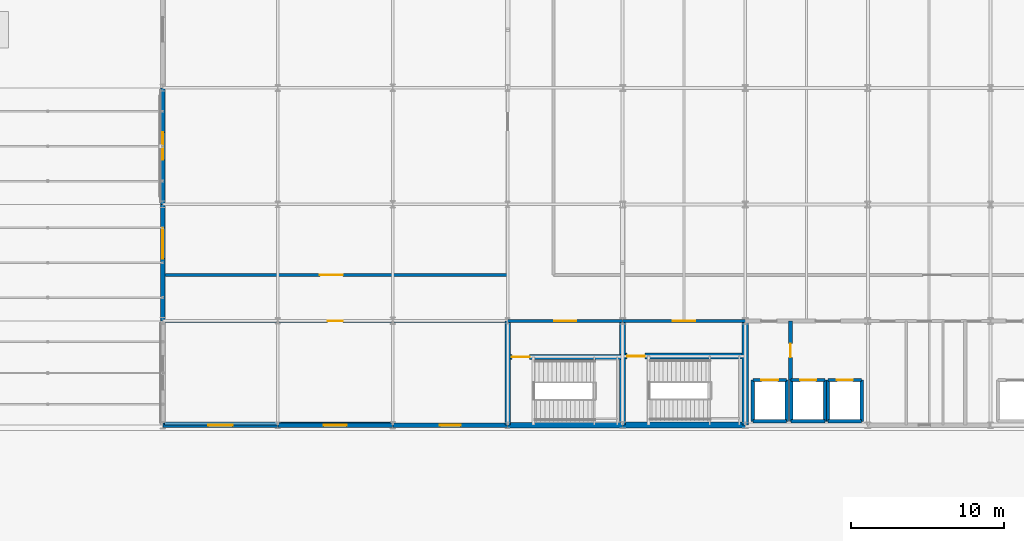
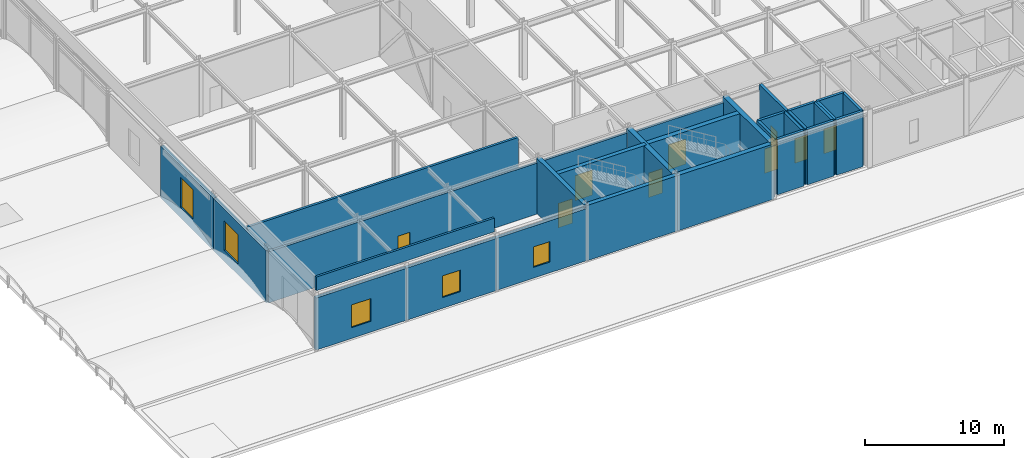
# One storey, part 93 of 113: 30 walls, 10 doors, 5 windows, 15 openings.
"""IFC4 building model written with IfcOpenShell, lengths in metres."""

from ifc_helpers import new_model, si_unit, direction, frame, frame_2d, origin, place, context, subcontext, project, spatial, rectangle, extrude, material, layer, layer_set, type_object, element, fill, save


model = new_model("IFC4")

# Units and contexts
model_context = context("Model", 3, precision=1e-05, world=origin(), true_north=direction((0.0, 1.0)))
body_context = subcontext(model_context, "Body", "Model", "MODEL_VIEW")
ifc_project = project(units=[si_unit("LENGTHUNIT", "METRE"), si_unit("AREAUNIT", "SQUARE_METRE"), si_unit("VOLUMEUNIT", "CUBIC_METRE"), si_unit("PLANEANGLEUNIT", "RADIAN"), si_unit("MASSUNIT", "GRAM", prefix="KILO")], contexts=[model_context])

# Site, building, storey
site_placement = place(None, origin())
site = spatial("IfcSite", under=ifc_project, at=site_placement, CompositionType="ELEMENT")
building_placement = place(site_placement, origin())
building = spatial("IfcBuilding", under=site, at=building_placement, Name="Shalkamar Park Central Library", CompositionType="ELEMENT")
storey_placement = place(building_placement, frame((0.0, 0.0, 5.39990234375)))
storey = spatial("IfcBuildingStorey", under=building, at=storey_placement, Name="L02", CompositionType="ELEMENT", Elevation=5.39990234375)

# Wall, opening, door
ifc_material_1 = material(Name="Reinforced fire-compartment masonry wall", Category="masonry")
ifc_layer_1 = layer(ifc_material_1, 0.239990234375)
ifc_layer_set_1 = layer_set([ifc_layer_1], Name="CompartmentWall_240")
wall_type_1 = type_object("IfcWallType", Name="Compartment Wall 240", PredefinedType="PARTITIONING", material=ifc_layer_set_1)
wall_1_placement = place(storey_placement, frame((175.949951171875, 251.35009765625, 0.0), z_axis=(0.0, 0.0, 1.0), x_axis=(0.0, 1.0, 0.0)))
wall_1 = element("IfcWall", 1, at=wall_1_placement, inside=storey, type_object=wall_type_1, Name="Interior Partition WL-INT-L02-001", PredefinedType="PARTITIONING", context=body_context, shape_type="SweptSolid", body=[
    extrude(rectangle(XDim=3.849853515625, YDim=0.239990234375, at=frame_2d((1.9248046875, 0.0))), origin(), (0.0, 0.0, 1.0), 4.860107421875),
])
opening_1_placement = place(wall_1_placement, frame((1.47509765625, 0.0, 0.0)))
opening_1 = element("IfcOpeningElement", 2, at=opening_1_placement, cuts=wall_1, Name="Opening DR-L02-001", PredefinedType="OPENING", context=body_context, shape_type="SweptSolid", body=[
    extrude(rectangle(XDim=0.89990234375, YDim=2.10009765625, at=frame_2d((0.449951171875, 1.050048828125))), frame((0.0, 0.134765625, 0.0), z_axis=(0.0, -1.0, 0.0), x_axis=(1.0, 0.0, 0.0)), (0.0, 0.0, 1.0), 0.269775390625),
])
ifc_material_2 = material(Name="Steel S355", Category="steel")
door_type_1 = type_object("IfcDoorType", Name="Fire Door Single 900x2100", OperationType="NOTDEFINED", PredefinedType="DOOR", material=ifc_material_2)
door_1_placement = place(opening_1_placement, frame((0.89990234375, 0.0, 0.0), z_axis=(0.0, 0.0, 1.0), x_axis=(-1.0, 0.0, 0.0)))
door_1 = element("IfcDoor", 3, at=door_1_placement, inside=storey, type_object=door_type_1, Name="Fire Lobby Interconnect Door", OperationType="SINGLE_SWING_LEFT", OverallHeight=2.10009765625, OverallWidth=0.89990234375, PredefinedType="DOOR", context=body_context, shape_type="SweptSolid", body=[
    extrude(rectangle(XDim=0.89990234375, YDim=2.10009765625, at=frame_2d((0.449951171875, 1.050048828125))), frame((0.0, 0.02490234375, 0.0), z_axis=(0.0, -1.0, 0.0), x_axis=(1.0, 0.0, 0.0)), (0.0, 0.0, 1.0), 0.050048828125),
])
fill(opening_1, door_1)

ifc_material_3 = material(Name="Fire-rated corridor partition wall", Category="masonry")
ifc_layer_2 = layer(ifc_material_3, 0.199951171875)
ifc_layer_set_2 = layer_set([ifc_layer_2], Name="CorridorFireWall_200")
wall_type_2 = type_object("IfcWallType", Name="Corridor Fire Wall 200", PredefinedType="PARTITIONING", material=ifc_layer_set_2)
wall_2_placement = place(storey_placement, frame((165.0, 255.199951171875, 0.0), z_axis=(0.0, 0.0, 1.0), x_axis=(1.0, 0.0, 0.0)))
wall_2 = element("IfcWall", 4, at=wall_2_placement, inside=storey, type_object=wall_type_2, Name="CORE-T1 Vestibule North Wall (L02)", PredefinedType="PARTITIONING", context=body_context, shape_type="SweptSolid", body=[
    extrude(rectangle(XDim=8.0, YDim=0.199951171875, at=frame_2d((4.0, 0.0))), origin(), (0.0, 0.0, 1.0), 4.358154296875),
])
opening_2_placement = place(wall_2_placement, frame((3.27490234375, 0.0, 0.0)))
opening_2 = element("IfcOpeningElement", 5, at=opening_2_placement, cuts=wall_2, Name="Opening DR-ST-T1-L02-VEST", PredefinedType="OPENING", context=body_context, shape_type="SweptSolid", body=[
    extrude(rectangle(XDim=1.449951171875, YDim=2.199951171875, at=frame_2d((0.72509765625, 1.10009765625))), frame((0.0, 0.11474609375, 0.0), z_axis=(0.0, -1.0, 0.0), x_axis=(1.0, 0.0, 0.0)), (0.0, 0.0, 1.0), 0.229736328125),
])
door_type_2 = type_object("IfcDoorType", Name="Stair Vestibule Door 1450x2200", OperationType="DOUBLE_DOOR_SINGLE_SWING", PredefinedType="DOOR", material=ifc_material_2)
door_2_placement = place(opening_2_placement, frame((1.449951171875, 0.0, 0.0), z_axis=(0.0, 0.0, 1.0), x_axis=(-1.0, 0.0, 0.0)))
door_2 = element("IfcDoor", 6, at=door_2_placement, inside=storey, type_object=door_type_2, Name="Protected Stair ST-T1 Vestibule Door (L02)", OperationType="DOUBLE_DOOR_SINGLE_SWING", OverallHeight=2.199951171875, OverallWidth=1.449951171875, PredefinedType="DOOR", context=body_context, shape_type="SweptSolid", body=[
    extrude(rectangle(XDim=1.449951171875, YDim=2.199951171875, at=frame_2d((0.72509765625, 1.10009765625))), frame((0.0, 0.02490234375, 0.0), z_axis=(0.0, -1.0, 0.0), x_axis=(1.0, 0.0, 0.0)), (0.0, 0.0, 1.0), 0.050048828125),
])
fill(opening_2, door_2)

wall_3_placement = place(storey_placement, frame((157.5, 255.199951171875, 0.0), z_axis=(0.0, 0.0, 1.0), x_axis=(1.0, 0.0, 0.0)))
wall_3 = element("IfcWall", 7, at=wall_3_placement, inside=storey, type_object=wall_type_2, Name="CORE-P1 Vestibule North Wall (L02)", PredefinedType="PARTITIONING", context=body_context, shape_type="SweptSolid", body=[
    extrude(rectangle(XDim=7.5, YDim=0.199951171875, at=frame_2d((3.75, 0.0))), origin(), (0.0, 0.0, 1.0), 4.498046875),
])
opening_3_placement = place(wall_3_placement, frame((3.02490234375, 0.0, 0.0)))
opening_3 = element("IfcOpeningElement", 8, at=opening_3_placement, cuts=wall_3, Name="Opening DR-ST-P1-L02-VEST", PredefinedType="OPENING", context=body_context, shape_type="SweptSolid", body=[
    extrude(rectangle(XDim=1.449951171875, YDim=2.199951171875, at=frame_2d((0.72509765625, 1.10009765625))), frame((0.0, 0.11474609375, 0.0), z_axis=(0.0, -1.0, 0.0), x_axis=(1.0, 0.0, 0.0)), (0.0, 0.0, 1.0), 0.229736328125),
])
door_3_placement = place(opening_3_placement, frame((1.449951171875, 0.0, 0.0), z_axis=(0.0, 0.0, 1.0), x_axis=(-1.0, 0.0, 0.0)))
door_3 = element("IfcDoor", 9, at=door_3_placement, inside=storey, type_object=door_type_2, Name="Protected Stair ST-P1 Vestibule Door (L02)", OperationType="DOUBLE_DOOR_SINGLE_SWING", OverallHeight=2.199951171875, OverallWidth=1.449951171875, PredefinedType="DOOR", context=body_context, shape_type="SweptSolid", body=[
    extrude(rectangle(XDim=1.449951171875, YDim=2.199951171875, at=frame_2d((0.72509765625, 1.10009765625))), frame((0.0, 0.02490234375, 0.0), z_axis=(0.0, -1.0, 0.0), x_axis=(1.0, 0.0, 0.0)), (0.0, 0.0, 1.0), 0.050048828125),
])
fill(opening_3, door_3)

wall_4_placement = place(storey_placement, frame((135.0, 255.199951171875, 0.0), z_axis=(0.0, 0.0, 1.0), x_axis=(1.0, 0.0, 0.0)))
wall_4 = element("IfcWall", 10, at=wall_4_placement, inside=storey, type_object=wall_type_2, Name="Interior Partition WL-INT-L02-013", PredefinedType="PARTITIONING", context=body_context, shape_type="SweptSolid", body=[
    extrude(rectangle(XDim=22.5, YDim=0.199951171875, at=frame_2d((11.25, 0.0))), origin(), (0.0, 0.0, 1.0), 4.488037109375),
])
opening_4_placement = place(wall_4_placement, frame((10.75, 0.0, 0.0)))
opening_4 = element("IfcOpeningElement", 11, at=opening_4_placement, cuts=wall_4, Name="Opening DR-L02-013", PredefinedType="OPENING", context=body_context, shape_type="SweptSolid", body=[
    extrude(rectangle(XDim=1.0, YDim=2.10009765625, at=frame_2d((0.5, 1.050048828125))), frame((0.0, 0.11474609375, 0.0), z_axis=(0.0, -1.0, 0.0), x_axis=(1.0, 0.0, 0.0)), (0.0, 0.0, 1.0), 0.229736328125),
])
door_type_3 = type_object("IfcDoorType", Name="Interior Door Single 1000x2100", OperationType="NOTDEFINED", PredefinedType="DOOR", material=ifc_material_2)
door_4_placement = place(opening_4_placement, frame((1.0, 0.0, 0.0), z_axis=(0.0, 0.0, 1.0), x_axis=(-1.0, 0.0, 0.0)))
door_4 = element("IfcDoor", 12, at=door_4_placement, inside=storey, type_object=door_type_3, Name="L02 South West Office Door", OperationType="SINGLE_SWING_RIGHT", OverallHeight=2.10009765625, OverallWidth=1.0, PredefinedType="DOOR", context=body_context, shape_type="SweptSolid", body=[
    extrude(rectangle(XDim=1.0, YDim=2.10009765625, at=frame_2d((0.5, 1.050048828125))), frame((0.0, 0.02490234375, 0.0), z_axis=(0.0, -1.0, 0.0), x_axis=(1.0, 0.0, 0.0)), (0.0, 0.0, 1.0), 0.050048828125),
])
fill(opening_4, door_4)

wall_5_placement = place(storey_placement, frame((135.0, 258.199951171875, 0.0), z_axis=(0.0, 0.0, 1.0), x_axis=(1.0, 0.0, 0.0)))
wall_5 = element("IfcWall", 13, at=wall_5_placement, inside=storey, type_object=wall_type_2, Name="Interior Partition WL-INT-L02-018", PredefinedType="PARTITIONING", context=body_context, shape_type="SweptSolid", body=[
    extrude(rectangle(XDim=22.5, YDim=0.199951171875, at=frame_2d((11.25, 0.0))), origin(), (0.0, 0.0, 1.0), 4.85009765625),
])
opening_5_placement = place(wall_5_placement, frame((10.25, 0.0, 0.0)))
opening_5 = element("IfcOpeningElement", 14, at=opening_5_placement, cuts=wall_5, Name="Opening DR-L02-018", PredefinedType="OPENING", context=body_context, shape_type="SweptSolid", body=[
    extrude(rectangle(XDim=1.5, YDim=2.25, at=frame_2d((0.75, 1.125))), frame((0.0, 0.11474609375, 0.0), z_axis=(0.0, -1.0, 0.0), x_axis=(1.0, 0.0, 0.0)), (0.0, 0.0, 1.0), 0.229736328125),
])
door_type_4 = type_object("IfcDoorType", Name="Interior Door Double 1500x2250", OperationType="DOUBLE_DOOR_SINGLE_SWING", PredefinedType="DOOR", material=ifc_material_2)
door_5_placement = place(opening_5_placement, origin())
door_5 = element("IfcDoor", 15, at=door_5_placement, inside=storey, type_object=door_type_4, Name="Cataloguing Wing South Door", OperationType="DOUBLE_DOOR_SINGLE_SWING", OverallHeight=2.25, OverallWidth=1.5, PredefinedType="DOOR", context=body_context, shape_type="SweptSolid", body=[
    extrude(rectangle(XDim=1.5, YDim=2.25, at=frame_2d((0.75, 1.125))), frame((0.0, 0.02490234375, 0.0), z_axis=(0.0, -1.0, 0.0), x_axis=(1.0, 0.0, 0.0)), (0.0, 0.0, 1.0), 0.050048828125),
])
fill(opening_5, door_5)

# Walls
ifc_material_4 = material(Name="Concrete C40/50", Category="concrete")
ifc_layer_3 = layer(ifc_material_4, 0.219970703125)
ifc_layer_set_3 = layer_set([ifc_layer_3], Name="Concrete C40/50")
wall_type_3 = type_object("IfcWallType", Name="Lift Hoistway Shear Wall 220", PredefinedType="SHEAR", material=ifc_layer_set_3)
wall_6_placement = place(storey_placement, frame((173.5, 248.64990234375, 0.0), z_axis=(0.0, 0.0, 1.0), x_axis=(1.0, 0.0, 0.0)))
element("IfcWall", 16, at=wall_6_placement, inside=storey, type_object=wall_type_3, Name="Lift FFL-01 Hoistway South Wall (L02)", PredefinedType="SHEAR", context=body_context, shape_type="SweptSolid", body=[
    extrude(rectangle(XDim=2.199951171875, YDim=0.219970703125, at=frame_2d((1.10009765625, 0.0))), origin(), (0.0, 0.0, 1.0), 4.860107421875),
])
for number, where, z_axis, x_axis, name in (
    (17, (173.5, 248.64990234375, 0.0), (0.0, 0.0, 1.0), (0.0, 1.0, 0.0), "Lift FFL-01 Hoistway West Wall (L02)"),
    (18, (175.699951171875, 248.64990234375, 0.0), (0.0, 0.0, 1.0), (0.0, 1.0, 0.0), "Lift FFL-01 Hoistway East Wall (L02)"),
):
    element("IfcWall", number, at=place(storey_placement, frame(where, z_axis=z_axis, x_axis=x_axis)), inside=storey, type_object=wall_type_3, Name=name, PredefinedType="SHEAR", context=body_context, shape_type="SweptSolid", body=[
        extrude(rectangle(XDim=2.7001953125, YDim=0.219970703125, at=frame_2d((1.35009765625, 0.0))), origin(), (0.0, 0.0, 1.0), 4.860107421875),
    ])

# Wall, opening, door
wall_7_placement = place(storey_placement, frame((173.5, 251.35009765625, 0.0), z_axis=(0.0, 0.0, 1.0), x_axis=(1.0, 0.0, 0.0)))
wall_7 = element("IfcWall", 19, at=wall_7_placement, inside=storey, type_object=wall_type_3, Name="Lift FFL-01 Hoistway Front Wall (L02)", PredefinedType="SHEAR", context=body_context, shape_type="SweptSolid", body=[
    extrude(rectangle(XDim=2.199951171875, YDim=0.219970703125, at=frame_2d((1.10009765625, 0.0))), origin(), (0.0, 0.0, 1.0), 4.860107421875),
])
opening_6_placement = place(wall_7_placement, frame((0.550048828125, 0.0, 0.0)))
opening_6 = element("IfcOpeningElement", 20, at=opening_6_placement, cuts=wall_7, Name="Opening LD-FFL-01-L02", PredefinedType="OPENING", context=body_context, shape_type="SweptSolid", body=[
    extrude(rectangle(XDim=1.10009765625, YDim=2.14990234375, at=frame_2d((0.550048828125, 1.074951171875))), frame((0.0, 0.125, 0.0), z_axis=(0.0, -1.0, 0.0), x_axis=(1.0, 0.0, 0.0)), (0.0, 0.0, 1.0), 0.249755859375),
])
door_type_5 = type_object("IfcDoorType", Name="Fire Lift Landing Door 1100x2150", OperationType="DOUBLE_DOOR_SLIDING", PredefinedType="USERDEFINED", material=ifc_material_2)
door_6_placement = place(opening_6_placement, origin())
door_6 = element("IfcDoor", 21, at=door_6_placement, inside=storey, type_object=door_type_5, Name="Lift FFL-01 Sliding Landing Door (L02)", ObjectType="SLIDING LANDING DOOR", OperationType="DOUBLE_DOOR_SLIDING", OverallHeight=2.14990234375, OverallWidth=1.10009765625, PredefinedType="USERDEFINED", context=body_context, shape_type="SweptSolid", body=[
    extrude(rectangle(XDim=1.10009765625, YDim=2.14990234375, at=frame_2d((0.550048828125, 1.074951171875))), frame((0.0, 0.02490234375, 0.0), z_axis=(0.0, -1.0, 0.0), x_axis=(1.0, 0.0, 0.0)), (0.0, 0.0, 1.0), 0.050048828125),
])
fill(opening_6, door_6)

# Walls
wall_8_placement = place(storey_placement, frame((176.0, 248.64990234375, 0.0), z_axis=(0.0, 0.0, 1.0), x_axis=(1.0, 0.0, 0.0)))
element("IfcWall", 22, at=wall_8_placement, inside=storey, type_object=wall_type_3, Name="Lift LT-01 Hoistway South Wall (L02)", PredefinedType="SHEAR", context=body_context, shape_type="SweptSolid", body=[
    extrude(rectangle(XDim=2.199951171875, YDim=0.219970703125, at=frame_2d((1.10009765625, 0.0))), origin(), (0.0, 0.0, 1.0), 4.860107421875),
])
for number, where, z_axis, x_axis, name in (
    (23, (176.0, 248.64990234375, 0.0), (0.0, 0.0, 1.0), (0.0, 1.0, 0.0), "Lift LT-01 Hoistway West Wall (L02)"),
    (24, (178.199951171875, 248.64990234375, 0.0), (0.0, 0.0, 1.0), (0.0, 1.0, 0.0), "Lift LT-01 Hoistway East Wall (L02)"),
):
    element("IfcWall", number, at=place(storey_placement, frame(where, z_axis=z_axis, x_axis=x_axis)), inside=storey, type_object=wall_type_3, Name=name, PredefinedType="SHEAR", context=body_context, shape_type="SweptSolid", body=[
        extrude(rectangle(XDim=2.7001953125, YDim=0.219970703125, at=frame_2d((1.35009765625, 0.0))), origin(), (0.0, 0.0, 1.0), 4.860107421875),
    ])

# Wall, opening, door
wall_9_placement = place(storey_placement, frame((176.0, 251.35009765625, 0.0), z_axis=(0.0, 0.0, 1.0), x_axis=(1.0, 0.0, 0.0)))
wall_9 = element("IfcWall", 25, at=wall_9_placement, inside=storey, type_object=wall_type_3, Name="Lift LT-01 Hoistway Front Wall (L02)", PredefinedType="SHEAR", context=body_context, shape_type="SweptSolid", body=[
    extrude(rectangle(XDim=2.199951171875, YDim=0.219970703125, at=frame_2d((1.10009765625, 0.0))), origin(), (0.0, 0.0, 1.0), 4.860107421875),
])
opening_7_placement = place(wall_9_placement, frame((0.574951171875, 0.0, 0.0)))
opening_7 = element("IfcOpeningElement", 26, at=opening_7_placement, cuts=wall_9, Name="Opening LD-LT-01-L02", PredefinedType="OPENING", context=body_context, shape_type="SweptSolid", body=[
    extrude(rectangle(XDim=1.050048828125, YDim=2.14990234375, at=frame_2d((0.52490234375, 1.074951171875))), frame((0.0, 0.125, 0.0), z_axis=(0.0, -1.0, 0.0), x_axis=(1.0, 0.0, 0.0)), (0.0, 0.0, 1.0), 0.249755859375),
])
door_type_6 = type_object("IfcDoorType", Name="Passenger Lift Landing Door 1050x2150", OperationType="DOUBLE_DOOR_SLIDING", PredefinedType="USERDEFINED", material=ifc_material_2)
door_7_placement = place(opening_7_placement, origin())
door_7 = element("IfcDoor", 27, at=door_7_placement, inside=storey, type_object=door_type_6, Name="Lift LT-01 Sliding Landing Door (L02)", ObjectType="SLIDING LANDING DOOR", OperationType="DOUBLE_DOOR_SLIDING", OverallHeight=2.14990234375, OverallWidth=1.050048828125, PredefinedType="USERDEFINED", context=body_context, shape_type="SweptSolid", body=[
    extrude(rectangle(XDim=1.050048828125, YDim=2.14990234375, at=frame_2d((0.52490234375, 1.074951171875))), frame((0.0, 0.02490234375, 0.0), z_axis=(0.0, -1.0, 0.0), x_axis=(1.0, 0.0, 0.0)), (0.0, 0.0, 1.0), 0.050048828125),
])
fill(opening_7, door_7)

# Walls
wall_10_placement = place(storey_placement, frame((178.39990234375, 248.64990234375, 0.0), z_axis=(0.0, 0.0, 1.0), x_axis=(1.0, 0.0, 0.0)))
element("IfcWall", 28, at=wall_10_placement, inside=storey, type_object=wall_type_3, Name="Lift LT-02 Hoistway South Wall (L02)", PredefinedType="SHEAR", context=body_context, shape_type="SweptSolid", body=[
    extrude(rectangle(XDim=2.2001953125, YDim=0.219970703125, at=frame_2d((1.10009765625, 0.0))), origin(), (0.0, 0.0, 1.0), 4.860107421875),
])
for number, where, z_axis, x_axis, name in (
    (29, (178.39990234375, 248.64990234375, 0.0), (0.0, 0.0, 1.0), (0.0, 1.0, 0.0), "Lift LT-02 Hoistway West Wall (L02)"),
    (30, (180.60009765625, 248.64990234375, 0.0), (0.0, 0.0, 1.0), (0.0, 1.0, 0.0), "Lift LT-02 Hoistway East Wall (L02)"),
):
    element("IfcWall", number, at=place(storey_placement, frame(where, z_axis=z_axis, x_axis=x_axis)), inside=storey, type_object=wall_type_3, Name=name, PredefinedType="SHEAR", context=body_context, shape_type="SweptSolid", body=[
        extrude(rectangle(XDim=2.7001953125, YDim=0.219970703125, at=frame_2d((1.35009765625, 0.0))), origin(), (0.0, 0.0, 1.0), 4.860107421875),
    ])

# Wall, opening, door
wall_11_placement = place(storey_placement, frame((178.39990234375, 251.35009765625, 0.0), z_axis=(0.0, 0.0, 1.0), x_axis=(1.0, 0.0, 0.0)))
wall_11 = element("IfcWall", 31, at=wall_11_placement, inside=storey, type_object=wall_type_3, Name="Lift LT-02 Hoistway Front Wall (L02)", PredefinedType="SHEAR", context=body_context, shape_type="SweptSolid", body=[
    extrude(rectangle(XDim=2.2001953125, YDim=0.219970703125, at=frame_2d((1.10009765625, 0.0))), origin(), (0.0, 0.0, 1.0), 4.860107421875),
])
opening_8_placement = place(wall_11_placement, frame((0.574951171875, 0.0, 0.0)))
opening_8 = element("IfcOpeningElement", 32, at=opening_8_placement, cuts=wall_11, Name="Opening LD-LT-02-L02", PredefinedType="OPENING", context=body_context, shape_type="SweptSolid", body=[
    extrude(rectangle(XDim=1.050048828125, YDim=2.14990234375, at=frame_2d((0.52490234375, 1.074951171875))), frame((0.0, 0.125, 0.0), z_axis=(0.0, -1.0, 0.0), x_axis=(1.0, 0.0, 0.0)), (0.0, 0.0, 1.0), 0.249755859375),
])
door_8_placement = place(opening_8_placement, origin())
door_8 = element("IfcDoor", 33, at=door_8_placement, inside=storey, type_object=door_type_6, Name="Lift LT-02 Sliding Landing Door (L02)", ObjectType="SLIDING LANDING DOOR", OperationType="DOUBLE_DOOR_SLIDING", OverallHeight=2.14990234375, OverallWidth=1.050048828125, PredefinedType="USERDEFINED", context=body_context, shape_type="SweptSolid", body=[
    extrude(rectangle(XDim=1.050048828125, YDim=2.14990234375, at=frame_2d((0.52490234375, 1.074951171875))), frame((0.0, 0.02490234375, 0.0), z_axis=(0.0, -1.0, 0.0), x_axis=(1.0, 0.0, 0.0)), (0.0, 0.0, 1.0), 0.050048828125),
])
fill(opening_8, door_8)

# Walls
ifc_layer_4 = layer(ifc_material_4, 0.35009765625)
ifc_layer_set_4 = layer_set([ifc_layer_4], Name="Concrete C40/50")
wall_type_4 = type_object("IfcWallType", Name="Podium Core Shear Wall 350", PredefinedType="SHEAR", material=ifc_layer_set_4)
wall_12_placement = place(storey_placement, frame((157.5, 248.39990234375, 0.0), z_axis=(0.0, 0.0, 1.0), x_axis=(1.0, 0.0, 0.0)))
element("IfcWall", 34, at=wall_12_placement, inside=storey, type_object=wall_type_4, Name="CORE-P1 South Shear Wall (L02)", PredefinedType="SHEAR", context=body_context, shape_type="SweptSolid", body=[
    extrude(rectangle(XDim=7.5, YDim=0.35009765625, at=frame_2d((3.75, 0.0))), origin(), (0.0, 0.0, 1.0), 4.860107421875),
])
wall_13_placement = place(storey_placement, frame((157.5, 248.39990234375, 0.0), z_axis=(0.0, 0.0, 1.0), x_axis=(0.0, 1.0, 0.0)))
element("IfcWall", 35, at=wall_13_placement, inside=storey, type_object=wall_type_4, Name="CORE-P1 West Shear Wall (L02)", PredefinedType="SHEAR", context=body_context, shape_type="SweptSolid", body=[
    extrude(rectangle(XDim=6.800048828125, YDim=0.35009765625, at=frame_2d((3.39990234375, 0.0))), origin(), (0.0, 0.0, 1.0), 4.860107421875),
])

# Wall, opening, door
wall_14_placement = place(storey_placement, frame((157.5, 252.85009765625, 0.0), z_axis=(0.0, 0.0, 1.0), x_axis=(1.0, 0.0, 0.0)))
wall_14 = element("IfcWall", 36, at=wall_14_placement, inside=storey, type_object=wall_type_4, Name="CORE-P1 Stairwell Wall (L02)", PredefinedType="SHEAR", context=body_context, shape_type="SweptSolid", body=[
    extrude(rectangle(XDim=7.5, YDim=0.35009765625, at=frame_2d((3.75, 0.0))), origin(), (0.0, 0.0, 1.0), 4.860107421875),
])
opening_9_placement = place(wall_14_placement, frame((0.27490234375, 0.0, 0.0)))
opening_9 = element("IfcOpeningElement", 37, at=opening_9_placement, cuts=wall_14, Name="Opening DR-ST-P1-L02-IN", PredefinedType="OPENING", context=body_context, shape_type="SweptSolid", body=[
    extrude(rectangle(XDim=1.14990234375, YDim=2.14990234375, at=frame_2d((0.574951171875, 1.074951171875))), frame((0.0, 0.18994140625, 0.0), z_axis=(0.0, -1.0, 0.0), x_axis=(1.0, 0.0, 0.0)), (0.0, 0.0, 1.0), 0.3798828125),
])
door_type_7 = type_object("IfcDoorType", Name="Stair Core Exit Door 1150x2150", OperationType="NOTDEFINED", PredefinedType="DOOR", material=ifc_material_2)
door_9_placement = place(opening_9_placement, frame((1.14990234375, 0.0, 0.0), z_axis=(0.0, 0.0, 1.0), x_axis=(-1.0, 0.0, 0.0)))
door_9 = element("IfcDoor", 38, at=door_9_placement, inside=storey, type_object=door_type_7, Name="Protected Stair ST-P1 Exit Door (L02)", OperationType="SINGLE_SWING_RIGHT", OverallHeight=2.14990234375, OverallWidth=1.14990234375, PredefinedType="DOOR", context=body_context, shape_type="SweptSolid", body=[
    extrude(rectangle(XDim=1.14990234375, YDim=2.14990234375, at=frame_2d((0.574951171875, 1.074951171875))), frame((0.0, 0.02490234375, 0.0), z_axis=(0.0, -1.0, 0.0), x_axis=(1.0, 0.0, 0.0)), (0.0, 0.0, 1.0), 0.050048828125),
])
fill(opening_9, door_9)

# Walls
ifc_material_5 = material(Name="Concrete C35/45 precast", Category="concrete")
ifc_layer_5 = layer(ifc_material_5, 0.179931640625)
ifc_layer_set_5 = layer_set([ifc_layer_5], Name="Concrete C35/45 precast")
wall_type_5 = type_object("IfcWallType", Name="Roof Parapet Wall 180", PredefinedType="PARAPET", material=ifc_layer_set_5)
wall_15_placement = place(storey_placement, frame((135.10009765625, 248.5, 5.10009765625), z_axis=(0.0, 0.0, 1.0), x_axis=(1.0, 0.0, 0.0)))
element("IfcWall", 39, at=wall_15_placement, inside=storey, type_object=wall_type_5, Name="Roof Parapet Wall L02-11", PredefinedType="PARAPET", context=body_context, shape_type="SweptSolid", body=[
    extrude(rectangle(XDim=14.7998046875, YDim=0.179931640625, at=frame_2d((7.39990234375, 0.0))), origin(), (0.0, 0.0, 1.0), 1.199951171875),
])
ifc_layer_6 = layer(ifc_material_4, 0.39990234375)
ifc_layer_set_6 = layer_set([ifc_layer_6], Name="Concrete C40/50")
wall_type_6 = type_object("IfcWallType", Name="Tower Core Shear Wall 400", PredefinedType="SHEAR", material=ifc_layer_set_6)
wall_16_placement = place(storey_placement, frame((165.0, 248.39990234375, 0.0), z_axis=(0.0, 0.0, 1.0), x_axis=(1.0, 0.0, 0.0)))
element("IfcWall", 40, at=wall_16_placement, inside=storey, type_object=wall_type_6, Name="CORE-T1 South Shear Wall (L02)", PredefinedType="SHEAR", context=body_context, shape_type="SweptSolid", body=[
    extrude(rectangle(XDim=8.0, YDim=0.39990234375, at=frame_2d((4.0, 0.0))), origin(), (0.0, 0.0, 1.0), 4.860107421875),
])
for number, where, z_axis, x_axis, name in (
    (41, (165.0, 248.39990234375, 0.0), (0.0, 0.0, 1.0), (0.0, 1.0, 0.0), "CORE-T1 West Shear Wall (L02)"),
    (42, (173.0, 248.39990234375, 0.0), (0.0, 0.0, 1.0), (0.0, 1.0, 0.0), "CORE-T1 East Shear Wall (L02)"),
):
    element("IfcWall", number, at=place(storey_placement, frame(where, z_axis=z_axis, x_axis=x_axis)), inside=storey, type_object=wall_type_6, Name=name, PredefinedType="SHEAR", context=body_context, shape_type="SweptSolid", body=[
        extrude(rectangle(XDim=6.800048828125, YDim=0.39990234375, at=frame_2d((3.39990234375, 0.0))), origin(), (0.0, 0.0, 1.0), 4.860107421875),
    ])

# Wall, opening, door
wall_17_placement = place(storey_placement, frame((165.0, 252.89990234375, 0.0), z_axis=(0.0, 0.0, 1.0), x_axis=(1.0, 0.0, 0.0)))
wall_17 = element("IfcWall", 43, at=wall_17_placement, inside=storey, type_object=wall_type_6, Name="CORE-T1 Stairwell Wall (L02)", PredefinedType="SHEAR", context=body_context, shape_type="SweptSolid", body=[
    extrude(rectangle(XDim=8.0, YDim=0.39990234375, at=frame_2d((4.0, 0.0))), origin(), (0.0, 0.0, 1.0), 4.860107421875),
])
opening_10_placement = place(wall_17_placement, frame((0.300048828125, 0.0, 0.0)))
opening_10 = element("IfcOpeningElement", 44, at=opening_10_placement, cuts=wall_17, Name="Opening DR-ST-T1-L02-IN", PredefinedType="OPENING", context=body_context, shape_type="SweptSolid", body=[
    extrude(rectangle(XDim=1.14990234375, YDim=2.14990234375, at=frame_2d((0.574951171875, 1.074951171875))), frame((0.0, 0.21484375, 0.0), z_axis=(0.0, -1.0, 0.0), x_axis=(1.0, 0.0, 0.0)), (0.0, 0.0, 1.0), 0.4296875),
])
door_10_placement = place(opening_10_placement, frame((1.14990234375, 0.0, 0.0), z_axis=(0.0, 0.0, 1.0), x_axis=(-1.0, 0.0, 0.0)))
door_10 = element("IfcDoor", 45, at=door_10_placement, inside=storey, type_object=door_type_7, Name="Protected Stair ST-T1 Exit Door (L02)", OperationType="SINGLE_SWING_RIGHT", OverallHeight=2.14990234375, OverallWidth=1.14990234375, PredefinedType="DOOR", context=body_context, shape_type="SweptSolid", body=[
    extrude(rectangle(XDim=1.14990234375, YDim=2.14990234375, at=frame_2d((0.574951171875, 1.074951171875))), frame((0.0, 0.02490234375, 0.0), z_axis=(0.0, -1.0, 0.0), x_axis=(1.0, 0.0, 0.0)), (0.0, 0.0, 1.0), 0.050048828125),
])
fill(opening_10, door_10)

# Wall, opening, window
ifc_material_6 = material(Name="Travertine insulated rainscreen", Category="masonry")
ifc_layer_7 = layer(ifc_material_6, 0.2900390625)
ifc_layer_set_7 = layer_set([ifc_layer_7], Name="TravertineTerracottaWall_290")
wall_type_7 = type_object("IfcWallType", Name="Travertine Terracotta Wall 290", PredefinedType="SOLIDWALL", material=ifc_layer_set_7)
wall_18_placement = place(storey_placement, frame((135.006103515625, 248.39990234375, 0.0), z_axis=(0.0, 0.0, 1.0), x_axis=(1.0, 0.0, 0.0)))
wall_18 = element("IfcWall", 46, at=wall_18_placement, inside=storey, type_object=wall_type_7, Name="Exterior Facade Wall WL-EXT-L02-055", PredefinedType="SOLIDWALL", context=body_context, shape_type="SweptSolid", body=[
    extrude(rectangle(XDim=7.48779296875, YDim=0.2900390625, at=frame_2d((3.743896484375, 0.0))), origin(), (0.0, 0.0, 1.0), 4.578125),
])
opening_11_placement = place(wall_18_placement, frame((2.944091796875, 0.0, 0.949951171875)))
opening_11 = element("IfcOpeningElement", 47, at=opening_11_placement, cuts=wall_18, Name="Opening WN-13", PredefinedType="OPENING", context=body_context, shape_type="SweptSolid", body=[
    extrude(rectangle(XDim=1.60009765625, YDim=2.0, at=frame_2d((0.800048828125, 1.0))), frame((0.0, 0.159912109375, 0.0), z_axis=(0.0, -1.0, 0.0), x_axis=(1.0, 0.0, 0.0)), (0.0, 0.0, 1.0), 0.31982421875),
])
ifc_material_7 = material(Name="Thermally broken aluminium and triple low-e glass", Category="glass")
window_type_1 = type_object("IfcWindowType", Name="Tower Window 1600x2000", PartitioningType="SINGLE_PANEL", PredefinedType="WINDOW", material=ifc_material_7)
window_1_placement = place(opening_11_placement, origin())
window_1 = element("IfcWindow", 48, at=window_1_placement, inside=storey, type_object=window_type_1, Name="Facade Window WN-L02-024", OverallHeight=2.0, OverallWidth=1.60009765625, PartitioningType="SINGLE_PANEL", PredefinedType="WINDOW", context=body_context, shape_type="SweptSolid", body=[
    extrude(rectangle(XDim=1.60009765625, YDim=2.0, at=frame_2d((0.800048828125, 1.0))), frame((0.0, 0.030029296875, 0.0), z_axis=(0.0, -1.0, 0.0), x_axis=(1.0, 0.0, 0.0)), (0.0, 0.0, 1.0), 0.06005859375),
])
fill(opening_11, window_1)

wall_19_placement = place(storey_placement, frame((142.506103515625, 248.39990234375, 0.0), z_axis=(0.0, 0.0, 1.0), x_axis=(1.0, 0.0, 0.0)))
wall_19 = element("IfcWall", 49, at=wall_19_placement, inside=storey, type_object=wall_type_7, Name="Exterior Facade Wall WL-EXT-L02-056", PredefinedType="SOLIDWALL", context=body_context, shape_type="SweptSolid", body=[
    extrude(rectangle(XDim=7.48779296875, YDim=0.2900390625, at=frame_2d((3.743896484375, 0.0))), origin(), (0.0, 0.0, 1.0), 4.578125),
])
opening_12_placement = place(wall_19_placement, frame((2.993896484375, 0.0, 0.949951171875)))
opening_12 = element("IfcOpeningElement", 50, at=opening_12_placement, cuts=wall_19, Name="Opening WN-14", PredefinedType="OPENING", context=body_context, shape_type="SweptSolid", body=[
    extrude(rectangle(XDim=1.5, YDim=1.89990234375, at=frame_2d((0.75, 0.949951171875))), frame((0.0, 0.159912109375, 0.0), z_axis=(0.0, -1.0, 0.0), x_axis=(1.0, 0.0, 0.0)), (0.0, 0.0, 1.0), 0.31982421875),
])
window_type_2 = type_object("IfcWindowType", Name="Tower Window 1500x1900", PartitioningType="SINGLE_PANEL", PredefinedType="WINDOW", material=ifc_material_7)
window_2_placement = place(opening_12_placement, origin())
window_2 = element("IfcWindow", 51, at=window_2_placement, inside=storey, type_object=window_type_2, Name="Facade Window WN-L02-025", OverallHeight=1.89990234375, OverallWidth=1.5, PartitioningType="SINGLE_PANEL", PredefinedType="WINDOW", context=body_context, shape_type="SweptSolid", body=[
    extrude(rectangle(XDim=1.5, YDim=1.89990234375, at=frame_2d((0.75, 0.949951171875))), frame((0.0, 0.030029296875, 0.0), z_axis=(0.0, -1.0, 0.0), x_axis=(1.0, 0.0, 0.0)), (0.0, 0.0, 1.0), 0.06005859375),
])
fill(opening_12, window_2)

wall_20_placement = place(storey_placement, frame((150.006103515625, 248.39990234375, 0.0), z_axis=(0.0, 0.0, 1.0), x_axis=(1.0, 0.0, 0.0)))
wall_20 = element("IfcWall", 52, at=wall_20_placement, inside=storey, type_object=wall_type_7, Name="Exterior Facade Wall WL-EXT-L02-057", PredefinedType="SOLIDWALL", context=body_context, shape_type="SweptSolid", body=[
    extrude(rectangle(XDim=7.48779296875, YDim=0.2900390625, at=frame_2d((3.743896484375, 0.0))), origin(), (0.0, 0.0, 1.0), 4.578125),
])
opening_13_placement = place(wall_20_placement, frame((3.069091796875, 0.0, 0.949951171875)))
opening_13 = element("IfcOpeningElement", 53, at=opening_13_placement, cuts=wall_20, Name="Opening WN-15", PredefinedType="OPENING", context=body_context, shape_type="SweptSolid", body=[
    extrude(rectangle(XDim=1.35009765625, YDim=1.800048828125, at=frame_2d((0.675048828125, 0.89990234375))), frame((0.0, 0.159912109375, 0.0), z_axis=(0.0, -1.0, 0.0), x_axis=(1.0, 0.0, 0.0)), (0.0, 0.0, 1.0), 0.31982421875),
])
window_type_3 = type_object("IfcWindowType", Name="Tower Window 1350x1800", PartitioningType="SINGLE_PANEL", PredefinedType="WINDOW", material=ifc_material_7)
window_3_placement = place(opening_13_placement, origin())
window_3 = element("IfcWindow", 54, at=window_3_placement, inside=storey, type_object=window_type_3, Name="Facade Window WN-L02-026", OverallHeight=1.800048828125, OverallWidth=1.35009765625, PartitioningType="SINGLE_PANEL", PredefinedType="WINDOW", context=body_context, shape_type="SweptSolid", body=[
    extrude(rectangle(XDim=1.35009765625, YDim=1.800048828125, at=frame_2d((0.675048828125, 0.89990234375))), frame((0.0, 0.030029296875, 0.0), z_axis=(0.0, -1.0, 0.0), x_axis=(1.0, 0.0, 0.0)), (0.0, 0.0, 1.0), 0.06005859375),
])
fill(opening_13, window_3)

wall_21_placement = place(storey_placement, frame((135.0, 255.2060546875, 0.0), z_axis=(0.0, 0.0, 1.0), x_axis=(0.0, 1.0, 0.0)))
wall_21 = element("IfcWall", 55, at=wall_21_placement, inside=storey, type_object=wall_type_7, Name="Exterior Facade Wall WL-EXT-L02-069", PredefinedType="SOLIDWALL", context=body_context, shape_type="SweptSolid", body=[
    extrude(rectangle(XDim=7.587890625, YDim=0.2900390625, at=frame_2d((3.7939453125, 0.0))), origin(), (0.0, 0.0, 1.0), 4.578125),
])
opening_14_placement = place(wall_21_placement, frame((4.06591796875, 0.0, 0.949951171875)))
opening_14 = element("IfcOpeningElement", 56, at=opening_14_placement, cuts=wall_21, Name="Opening WN-05", PredefinedType="OPENING", context=body_context, shape_type="SweptSolid", body=[
    extrude(rectangle(XDim=2.0, YDim=2.60009765625, at=frame_2d((1.0, 1.300048828125))), frame((0.0, 0.159912109375, 0.0), z_axis=(0.0, -1.0, 0.0), x_axis=(1.0, 0.0, 0.0)), (0.0, 0.0, 1.0), 0.31982421875),
])
window_type_4 = type_object("IfcWindowType", Name="Podium Window 2000x2600", PartitioningType="DOUBLE_PANEL_VERTICAL", PredefinedType="WINDOW", material=ifc_material_7)
window_4_placement = place(opening_14_placement, origin())
window_4 = element("IfcWindow", 57, at=window_4_placement, inside=storey, type_object=window_type_4, Name="Facade Window WN-L02-034", OverallHeight=2.60009765625, OverallWidth=2.0, PartitioningType="DOUBLE_PANEL_VERTICAL", PredefinedType="WINDOW", context=body_context, shape_type="SweptSolid", body=[
    extrude(rectangle(XDim=2.0, YDim=2.60009765625, at=frame_2d((1.0, 1.300048828125))), frame((0.0, 0.030029296875, 0.0), z_axis=(0.0, -1.0, 0.0), x_axis=(1.0, 0.0, 0.0)), (0.0, 0.0, 1.0), 0.06005859375),
])
fill(opening_14, window_4)

wall_22_placement = place(storey_placement, frame((135.0, 262.805908203125, 0.0), z_axis=(0.0, 0.0, 1.0), x_axis=(0.0, 1.0, 0.0)))
wall_22 = element("IfcWall", 58, at=wall_22_placement, inside=storey, type_object=wall_type_7, Name="Exterior Facade Wall WL-EXT-L02-070", PredefinedType="SOLIDWALL", context=body_context, shape_type="SweptSolid", body=[
    extrude(rectangle(XDim=7.588134765625, YDim=0.2900390625, at=frame_2d((3.7939453125, 0.0))), origin(), (0.0, 0.0, 1.0), 4.578125),
])
opening_15_placement = place(wall_22_placement, frame((2.89404296875, 0.0, 0.949951171875)))
opening_15 = element("IfcOpeningElement", 59, at=opening_15_placement, cuts=wall_22, Name="Opening WN-06", PredefinedType="OPENING", context=body_context, shape_type="SweptSolid", body=[
    extrude(rectangle(XDim=1.800048828125, YDim=2.60009765625, at=frame_2d((0.89990234375, 1.300048828125))), frame((0.0, 0.159912109375, 0.0), z_axis=(0.0, -1.0, 0.0), x_axis=(1.0, 0.0, 0.0)), (0.0, 0.0, 1.0), 0.31982421875),
])
window_type_5 = type_object("IfcWindowType", Name="Podium Window 1800x2600", PartitioningType="DOUBLE_PANEL_VERTICAL", PredefinedType="WINDOW", material=ifc_material_7)
window_5_placement = place(opening_15_placement, origin())
window_5 = element("IfcWindow", 60, at=window_5_placement, inside=storey, type_object=window_type_5, Name="Facade Window WN-L02-035", OverallHeight=2.60009765625, OverallWidth=1.800048828125, PartitioningType="DOUBLE_PANEL_VERTICAL", PredefinedType="WINDOW", context=body_context, shape_type="SweptSolid", body=[
    extrude(rectangle(XDim=1.800048828125, YDim=2.60009765625, at=frame_2d((0.89990234375, 1.300048828125))), frame((0.0, 0.030029296875, 0.0), z_axis=(0.0, -1.0, 0.0), x_axis=(1.0, 0.0, 0.0)), (0.0, 0.0, 1.0), 0.06005859375),
])
fill(opening_15, window_5)

save(model, "model.ifc")
